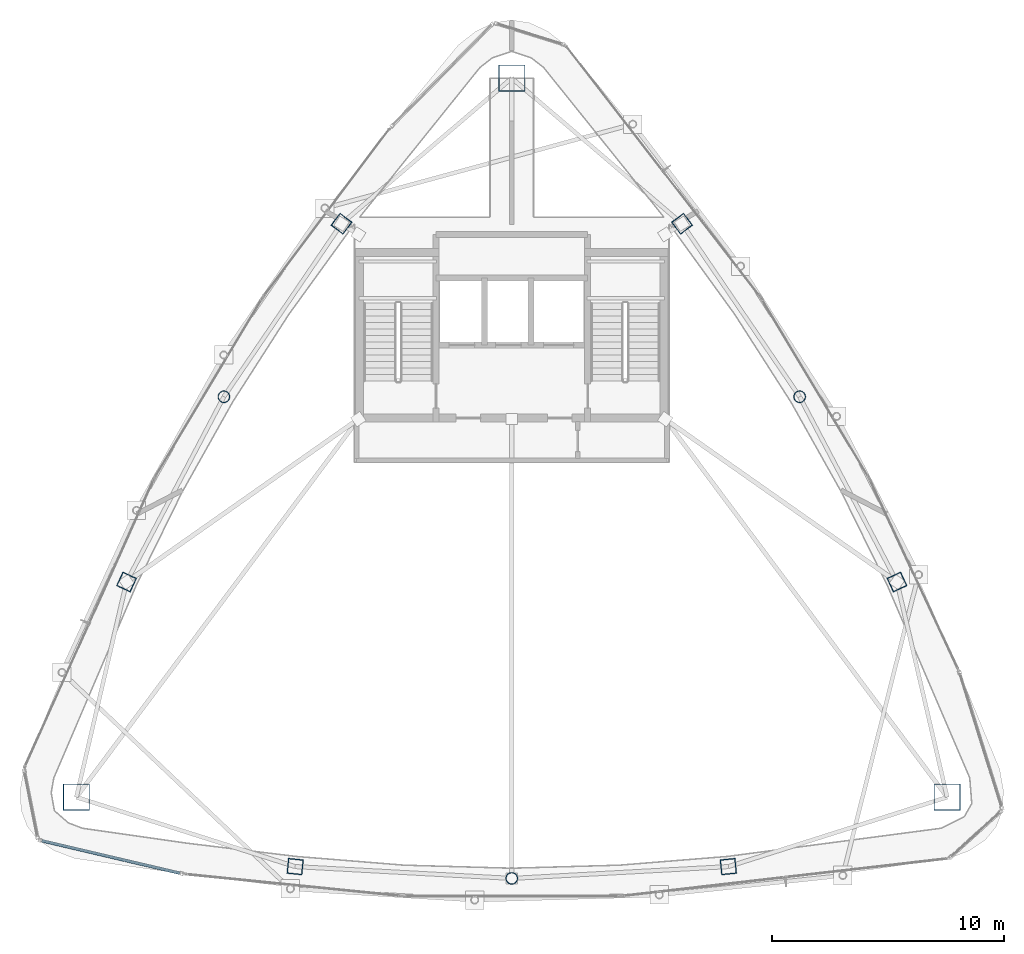
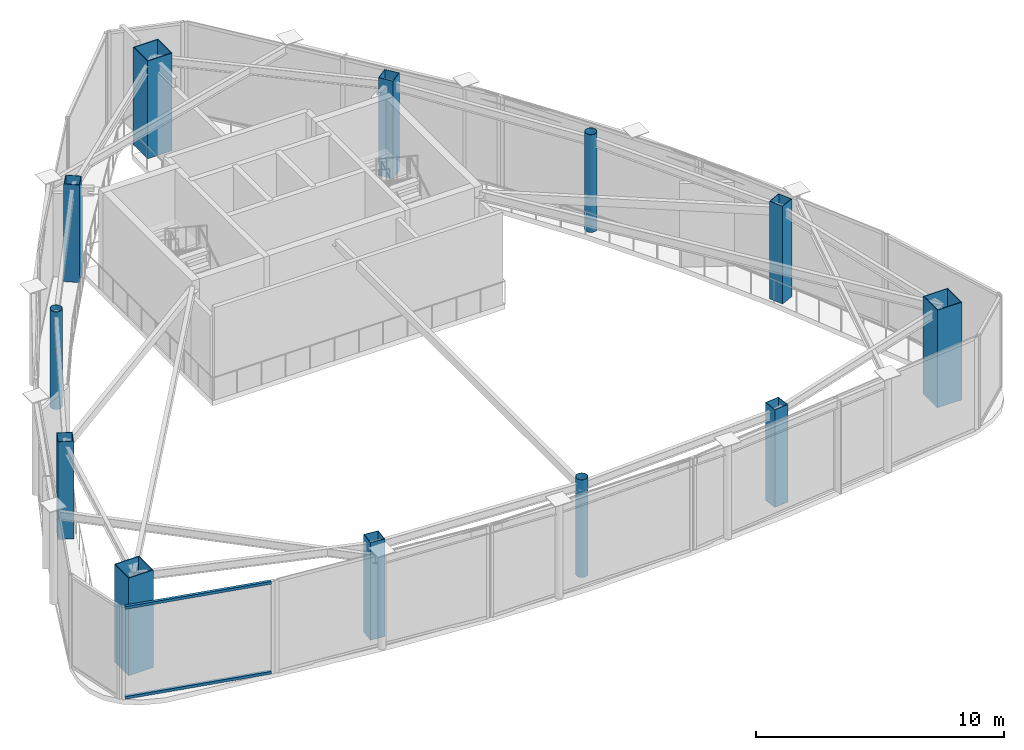
# One storey, part 1 of 20: 12 columns, 2 members, 1 element without a shape of its own.
"""IFC4 building model written with IfcOpenShell, lengths in metres."""

import ifcopenshell
import ifcopenshell.guid

model = None  # the IFC model being written
_history = None  # IfcOwnerHistory: only IFC2X3 demands one
_inside = {}  # id of a spatial element -> (the spatial element, [elements in it])
_under = {}  # id of a project, library or spatial element -> (it, [spatial elements below it])
_declared = {}  # id of a project -> (the project, [libraries it declares])
_typed = {}  # id of a type object -> (the type object, [elements of that type])
_made_of = {}  # id of a material, layer set ... -> (it, [elements and type objects made of it])


def new_model(schema):
    """Start an empty IFC model of exactly this schema.

    Asked for "IFC4X3", IfcOpenShell would pick the latest addendum, in which some entities
    have other attributes; the version numbers below select the first issue.
    IFC2X3 requires an IfcOwnerHistory on every rooted entity: one is made here for all.
    """
    global model, _history
    if schema == "IFC4X3":
        model = ifcopenshell.file(schema_version=(4, 3, 0, 0))
    else:
        model = ifcopenshell.file(schema=schema)
    _inside.clear()
    _under.clear()
    _declared.clear()
    _typed.clear()
    _made_of.clear()
    _history = None
    if model.schema == "IFC2X3":
        org = make("IfcOrganization", Name="unknown")
        user = make(
            "IfcPersonAndOrganization",
            ThePerson=make("IfcPerson", FamilyName="unknown"),
            TheOrganization=org,
        )
        app = make(
            "IfcApplication",
            ApplicationDeveloper=org,
            Version="unknown",
            ApplicationFullName="unknown",
            ApplicationIdentifier="unknown",
        )
        _history = make(
            "IfcOwnerHistory",
            OwningUser=user,
            OwningApplication=app,
            ChangeAction="ADDED",
            CreationDate=0,
        )
    return model


def make(cls, **values):
    """One entity of the class cls with the attributes given. An attribute that is None is left unset."""
    return model.create_entity(
        cls, **{name: value for name, value in values.items() if value is not None}
    )


def rooted(cls, **values):
    """An entity with a GlobalId (a new one), such as an element, a storey or a relation."""
    return make(cls, GlobalId=ifcopenshell.guid.new(), OwnerHistory=_history, **values)


def si_unit(unit_type, name, prefix=None):
    """IfcSIUnit, for example si_unit("LENGTHUNIT", "METRE", prefix="MILLI")."""
    return make("IfcSIUnit", UnitType=unit_type, Prefix=prefix, Name=name)


def assignment(units):
    """IfcUnitAssignment: the units of a project."""
    return None if units is None else make("IfcUnitAssignment", Units=units)


def point(xyz):
    """IfcCartesianPoint."""
    return None if xyz is None else make("IfcCartesianPoint", Coordinates=xyz)


def direction(xyz):
    """IfcDirection."""
    return None if xyz is None else make("IfcDirection", DirectionRatios=xyz)


def frame(location, z_axis=None, x_axis=None):
    """IfcAxis2Placement3D, a coordinate frame: its origin and axes. An axis left out is left unset."""
    return make(
        "IfcAxis2Placement3D",
        Location=point(location),
        Axis=direction(z_axis),
        RefDirection=direction(x_axis),
    )


def frame_2d(location, x_axis=None):
    """IfcAxis2Placement2D, a coordinate frame in the plane: its origin and x axis."""
    return make(
        "IfcAxis2Placement2D", Location=point(location), RefDirection=direction(x_axis)
    )


def origin():
    """The frame at (0, 0, 0) with its axes left unset."""
    return frame((0.0, 0.0, 0.0))


def origin_2d():
    """The frame at (0, 0) in the plane with its x axis left unset."""
    return frame_2d((0.0, 0.0))


def place(relative_to, where):
    """IfcLocalPlacement: puts the frame where relative to a parent placement (None: the world)."""
    return make(
        "IfcLocalPlacement", PlacementRelTo=relative_to, RelativePlacement=where
    )


def context(
    kind, dimensions, precision=None, world=None, true_north=None, identifier=None
):
    """IfcGeometricRepresentationContext, for example the 3D "Model" context."""
    return make(
        "IfcGeometricRepresentationContext",
        ContextIdentifier=identifier,
        ContextType=kind,
        CoordinateSpaceDimension=dimensions,
        Precision=precision,
        WorldCoordinateSystem=world,
        TrueNorth=true_north,
    )


def subcontext(parent, identifier, kind, view, scale=None):
    """IfcGeometricRepresentationSubContext, for example "Body" below "Model"."""
    return make(
        "IfcGeometricRepresentationSubContext",
        ContextIdentifier=identifier,
        ContextType=kind,
        ParentContext=parent,
        TargetScale=scale,
        TargetView=view,
    )


def project(units=None, contexts=None):
    """IfcProject with its units and contexts."""
    return rooted(
        "IfcProject",
        Name="project",
        RepresentationContexts=contexts,
        UnitsInContext=assignment(units),
    )


def spatial(cls, under=None, at=None, **own):
    """A site, building, storey or space (cls), placed at a placement, below another one or the project."""
    s = rooted(cls, ObjectPlacement=at, **own)
    if under is not None:
        _under.setdefault(under.id(), (under, []))[1].append(s)
    return s


def profile(cls, at=None, kind="AREA", **sizes):
    """A parametric profile (cls). Its sizes go by their IFC names, for example OverallWidth=200.0."""
    return make(cls, ProfileType=kind, Position=at, **sizes)


def hollow_rectangle(**sizes):
    """IfcRectangleHollowProfileDef."""
    return profile("IfcRectangleHollowProfileDef", **sizes)


def hollow_circle(**sizes):
    """IfcCircleHollowProfileDef."""
    return profile("IfcCircleHollowProfileDef", **sizes)


def extrude(swept, where, along, depth):
    """IfcExtrudedAreaSolid: the profile swept, set in the frame where, extruded along a direction by depth."""
    return make(
        "IfcExtrudedAreaSolid",
        SweptArea=swept,
        Position=where,
        ExtrudedDirection=direction(along),
        Depth=depth,
    )


def shape(context_of_items, identifier, shape_type, items):
    """IfcShapeRepresentation: the items that make up one representation, for example the "Body"."""
    return make(
        "IfcShapeRepresentation",
        ContextOfItems=context_of_items,
        RepresentationIdentifier=identifier,
        RepresentationType=shape_type,
        Items=items,
    )


def material(Name=None, Category=None):
    """IfcMaterial."""
    return make("IfcMaterial", Name=Name, Category=Category)


def layer(
    of_material, thickness, ventilated=None, Name=None, Category=None, Priority=None
):
    """IfcMaterialLayer: one layer of a wall or slab, of a material (None: an air gap)."""
    return make(
        "IfcMaterialLayer",
        Material=of_material,
        LayerThickness=thickness,
        IsVentilated=ventilated,
        Name=Name,
        Category=Category,
        Priority=Priority,
    )


def layer_set(layers, Name=None):
    """IfcMaterialLayerSet."""
    return make("IfcMaterialLayerSet", MaterialLayers=layers, LayerSetName=Name)


def material_profile(
    of_material, cross_section, Name=None, Category=None, Priority=None
):
    """IfcMaterialProfile: a cross section and its material."""
    return make(
        "IfcMaterialProfile",
        Name=Name,
        Material=of_material,
        Profile=cross_section,
        Priority=Priority,
        Category=Category,
    )


def profile_set(profiles, Name=None, composite=None):
    """IfcMaterialProfileSet."""
    return make(
        "IfcMaterialProfileSet",
        Name=Name,
        MaterialProfiles=profiles,
        CompositeProfile=composite,
    )


def made_of(thing, what):
    """Note that an element or type object is made of a material, layer set ...; save() writes the relation."""
    if what is not None:
        _made_of.setdefault(what.id(), (what, []))[1].append(thing)
    return thing


def type_object(cls, material=None, **own):
    """A type object (cls), such as IfcWallType, which elements share."""
    return made_of(rooted(cls, **own), material)


def element(
    cls,
    number,
    at=None,
    inside=None,
    cuts=None,
    type_object=None,
    material=None,
    context=None,
    identifier="Body",
    shape_type=None,
    held_by="IfcProductDefinitionShape",
    body=None,
    shapes=None,
    **own,
):
    """One element of the class cls, such as IfcWall. Its Tag is "e" and its number.

    at: its placement. inside: the storey or other place that contains it. cuts: it is an
    opening in that element (IfcRelVoidsElement). A single representation is given by context,
    identifier, shape_type and body (its items); several are given by shapes. held_by: the class
    of the entity that holds the representations. save() writes the other relations.
    """
    e = rooted(cls, Tag="e%d" % number, ObjectPlacement=at, **own)
    if body is not None:
        shapes = [shape(context, identifier, shape_type, body)]
    if shapes is not None:
        e.Representation = make(held_by, Representations=shapes)
    if inside is not None:
        _inside.setdefault(inside.id(), (inside, []))[1].append(e)
    if cuts is not None:
        rooted(
            "IfcRelVoidsElement", RelatingBuildingElement=cuts, RelatedOpeningElement=e
        )
    if type_object is not None:
        _typed.setdefault(type_object.id(), (type_object, []))[1].append(e)
    return made_of(e, material)


def aggregate(whole, parts):
    """IfcRelAggregates: a whole, such as a stair, and the parts it consists of."""
    return rooted("IfcRelAggregates", RelatingObject=whole, RelatedObjects=parts)


def save(model, path):
    """Write the relations noted so far, then the file.

    IfcRelAggregates (storeys below a building ...), IfcRelContainedInSpatialStructure (elements
    in a storey), IfcRelDefinesByType, IfcRelAssociatesMaterial and IfcRelDeclares: one each for
    every whole, place, type object, material and project.
    """
    for whole, parts in _under.values():
        aggregate(whole, parts)
    for where, things in _inside.values():
        rooted(
            "IfcRelContainedInSpatialStructure",
            RelatedElements=things,
            RelatingStructure=where,
        )
    for kind, things in _typed.values():
        rooted("IfcRelDefinesByType", RelatedObjects=things, RelatingType=kind)
    for what, things in _made_of.values():
        rooted("IfcRelAssociatesMaterial", RelatedObjects=things, RelatingMaterial=what)
    for by, libraries in _declared.values():
        rooted("IfcRelDeclares", RelatingContext=by, RelatedDefinitions=libraries)
    model.write(path)


model = new_model("IFC4")

# Units and contexts
model_context = context("Model", 3, precision=1e-05, world=origin(), true_north=direction((0.0, 1.0)))
body_context = subcontext(model_context, "Body", "Model", "MODEL_VIEW")
ifc_project = project(units=[si_unit("LENGTHUNIT", "METRE"), si_unit("AREAUNIT", "SQUARE_METRE"), si_unit("VOLUMEUNIT", "CUBIC_METRE"), si_unit("PLANEANGLEUNIT", "RADIAN"), si_unit("MASSUNIT", "GRAM", prefix="KILO")], contexts=[model_context])

# Site, building, storey
site_placement = place(None, origin())
site = spatial("IfcSite", under=ifc_project, at=site_placement, CompositionType="ELEMENT")
building_placement = place(site_placement, origin())
building = spatial("IfcBuilding", under=site, at=building_placement, Name="Orvanel Arch Residences", CompositionType="ELEMENT")
storey_placement = place(building_placement, frame((0.0, 0.0, 300.5)))
storey = spatial("IfcBuildingStorey", under=building, at=storey_placement, Name="L84", CompositionType="ELEMENT", Elevation=300.5)

# Columns
ifc_material_1 = material(Name="Structural steel AS/NZS 1163 C350L0 (Grade 350)", Category="steel")
ifc_material_profile_1 = material_profile(ifc_material_1, hollow_circle(Radius=0.25390625, WallThickness=0.01611328125, at=origin_2d()), Name="CHS508x16")
ifc_profile_set_1 = profile_set([ifc_material_profile_1], Name="Structural steel AS/NZS 1163 C350L0 (Grade 350)")
column_type_1 = type_object("IfcColumnType", Name="CC-508", PredefinedType="COLUMN", material=ifc_profile_set_1)
for number, where, z_axis, x_axis, name in (
    (1, (20.569091796875, 27.64111328125, 0.0), (0.0, 0.0, 1.0), (1.0, 0.0, 0.0), "L84 High-Rise Tube Column 02"),
    (2, (33.0, 6.843994140625, 0.0), (0.0, 0.0, 1.0), (1.0, 0.0, 0.0), "L84 High-Rise Tube Column 05"),
    (3, (45.430908203125, 27.64111328125, 0.0), (0.0, 0.0, 1.0), (1.0, 0.0, 0.0), "L84 High-Rise Tube Column 08"),
):
    element("IfcColumn", number, at=place(storey_placement, frame(where, z_axis=z_axis, x_axis=x_axis)), inside=storey, type_object=column_type_1, Name=name, PredefinedType="COLUMN", context=body_context, shape_type="SweptSolid", body=[
        extrude(hollow_circle(Radius=0.25390625, WallThickness=0.01611328125, at=origin_2d()), origin(), (0.0, 0.0, 1.0), 4.800048828125),
    ])
ifc_material_2 = material(Name="Structural steel AS/NZS 3678 Grade 450", Category="steel")
ifc_material_profile_2 = material_profile(ifc_material_2, hollow_rectangle(XDim=1.14990234375, YDim=1.14990234375, WallThickness=0.035888671875, at=origin_2d()), Name="BOX1150x1150x36")
ifc_profile_set_2 = profile_set([ifc_material_profile_2], Name="Structural steel AS/NZS 3678 Grade 450")
column_type_2 = type_object("IfcColumnType", Name="MC-1150", PredefinedType="COLUMN", material=ifc_profile_set_2)
for number, where, z_axis, x_axis, name in (
    (4, (33.0, 41.39794921875, 0.0), (0.0, 0.0, 1.0), (1.0, 0.0, 0.0), "L84 Corner Mega-Column 1"),
    (5, (14.198974609375, 10.35107421875, 0.0), (0.0, 0.0, 1.0), (1.0, 0.0, 0.0), "L84 Corner Mega-Column 2"),
    (6, (51.801025390625, 10.35107421875, 0.0), (0.0, 0.0, 1.0), (1.0, 0.0, 0.0), "L84 Corner Mega-Column 3"),
):
    element("IfcColumn", number, at=place(storey_placement, frame(where, z_axis=z_axis, x_axis=x_axis)), inside=storey, type_object=column_type_2, Name=name, PredefinedType="COLUMN", context=body_context, shape_type="SweptSolid", body=[
        extrude(hollow_rectangle(XDim=1.14990234375, YDim=1.14990234375, WallThickness=0.035888671875, at=origin_2d()), origin(), (0.0, 0.0, 1.0), 4.800048828125),
    ])
ifc_material_3 = material(Name="Structural steel AS/NZS 3678 Grade 350", Category="steel")
ifc_material_profile_3 = material_profile(ifc_material_3, hollow_rectangle(XDim=0.64990234375, YDim=0.64990234375, WallThickness=0.02197265625, at=origin_2d()), Name="BOX650x650x22")
ifc_profile_set_3 = profile_set([ifc_material_profile_3], Name="Structural steel AS/NZS 3678 Grade 350")
column_type_3 = type_object("IfcColumnType", Name="TC-650", PredefinedType="COLUMN", material=ifc_profile_set_3)
for number, where, z_axis, x_axis, name in (
    (7, (25.64794921875, 35.113037109375, 0.0), (0.0, 0.0, 1.0), (0.600420225326, 0.799684658487, 0.0), "L84 High-Rise Tube Column 01"),
    (8, (16.366943359375, 19.64208984375, 0.0), (0.0, 0.0, 1.0), (0.422618261741, 0.906307787037, 0.0), "L84 High-Rise Tube Column 03"),
    (9, (23.64892578125, 7.35498046875, 0.0), (0.0, 0.0, 1.0), (-0.994880708829, 0.101056297183, 0.0), "L84 High-Rise Tube Column 04"),
    (10, (42.35107421875, 7.35498046875, 0.0), (0.0, 0.0, 1.0), (0.994880708829, 0.101056297183, 0.0), "L84 High-Rise Tube Column 06"),
    (11, (49.633056640625, 19.64208984375, 0.0), (0.0, 0.0, 1.0), (-0.422618261741, 0.906307787037, 0.0), "L84 High-Rise Tube Column 07"),
    (12, (40.35205078125, 35.113037109375, 0.0), (0.0, 0.0, 1.0), (-0.600420225326, 0.799684658487, 0.0), "L84 High-Rise Tube Column 09"),
):
    element("IfcColumn", number, at=place(storey_placement, frame(where, z_axis=z_axis, x_axis=x_axis)), inside=storey, type_object=column_type_3, Name=name, PredefinedType="COLUMN", context=body_context, shape_type="SweptSolid", body=[
        extrude(hollow_rectangle(XDim=0.64990234375, YDim=0.64990234375, WallThickness=0.02197265625, at=origin_2d()), origin(), (0.0, 0.0, 1.0), 4.800048828125),
    ])

# Curtain wall, members
ifc_material_4 = material(Name="Bronze-anodised aluminium AA6063-T6", Category="aluminium")
ifc_layer = layer(ifc_material_4, 0.2099609375)
ifc_layer_set = layer_set([ifc_layer], Name="Bronze-anodised aluminium AA6063-T6")
curtain_wall_type = type_object("IfcCurtainWallType", Name="CW7-TOP-SYS", PredefinedType="NOTDEFINED", material=ifc_layer_set)
curtain_wall_placement = place(storey_placement, origin())
curtain_wall = element("IfcCurtainWall", 13, at=curtain_wall_placement, inside=storey, type_object=curtain_wall_type, Name="L84 CW7-TOP-SYS Unitised Curtain Wall", PredefinedType="NOTDEFINED")
ifc_material_profile_4 = material_profile(ifc_material_4, hollow_rectangle(XDim=0.1298828125, YDim=0.1298828125, WallThickness=0.00439453125, at=origin_2d()), Name="ALU130x130x4.5")
ifc_profile_set_4 = profile_set([ifc_material_profile_4], Name="Bronze-anodised aluminium AA6063-T6")
member_type = type_object("IfcMemberType", Name="TRN-130x130", PredefinedType="USERDEFINED", material=ifc_profile_set_4)
member_1_placement = place(storey_placement, frame((12.7060546875, 8.47265625, 0.06494140625), z_axis=(0.973511117585, -0.228639681462, 0.0), x_axis=(0.228639681462, 0.973511117585, 0.0)))
member_1 = element("IfcMember", 14, at=member_1_placement, type_object=member_type, Name="CW-S7 transom 1.1", ObjectType="TRANSOM", PredefinedType="USERDEFINED", context=body_context, shape_type="SweptSolid", body=[
    extrude(hollow_rectangle(XDim=0.1298828125, YDim=0.1298828125, WallThickness=0.00439453125, at=origin_2d()), origin(), (0.0, 0.0, 1.0), 6.129150390625),
])
member_2_placement = place(storey_placement, frame((12.7060546875, 8.47265625, 4.485107421875), z_axis=(0.973511117585, -0.228639681462, 0.0), x_axis=(0.228639681462, 0.973511117585, 0.0)))
member_2 = element("IfcMember", 15, at=member_2_placement, type_object=member_type, Name="CW-S7 transom 1.2", ObjectType="TRANSOM", PredefinedType="USERDEFINED", context=body_context, shape_type="SweptSolid", body=[
    extrude(hollow_rectangle(XDim=0.1298828125, YDim=0.1298828125, WallThickness=0.00439453125, at=origin_2d()), origin(), (0.0, 0.0, 1.0), 6.129150390625),
])
aggregate(curtain_wall, [member_1, member_2])

save(model, "model.ifc")
